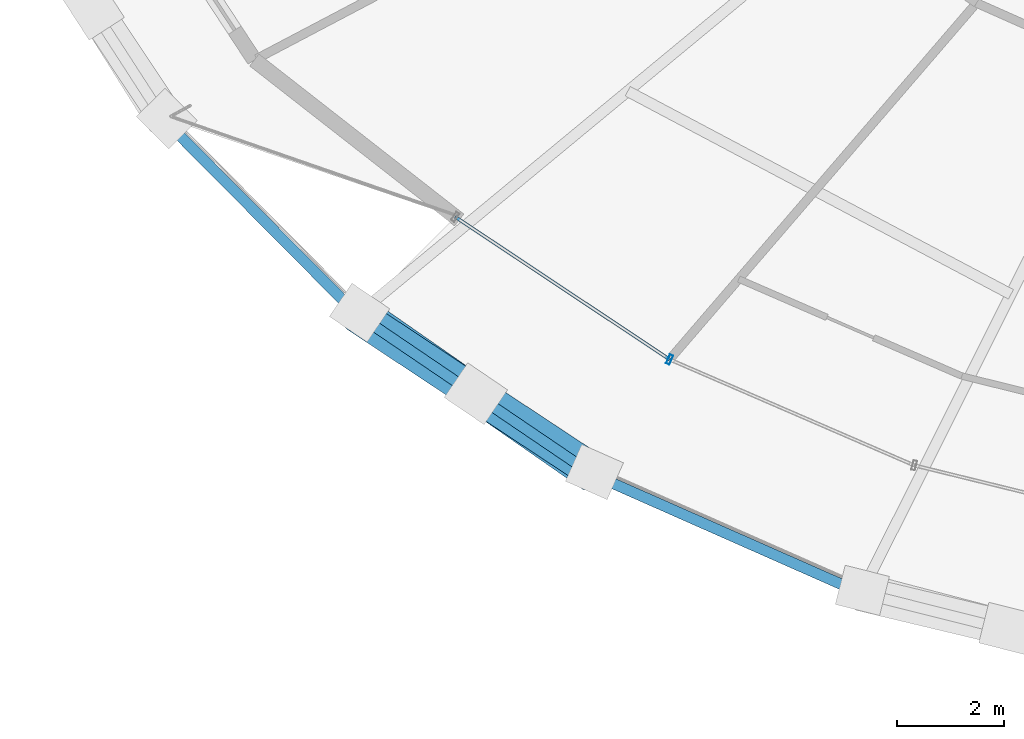
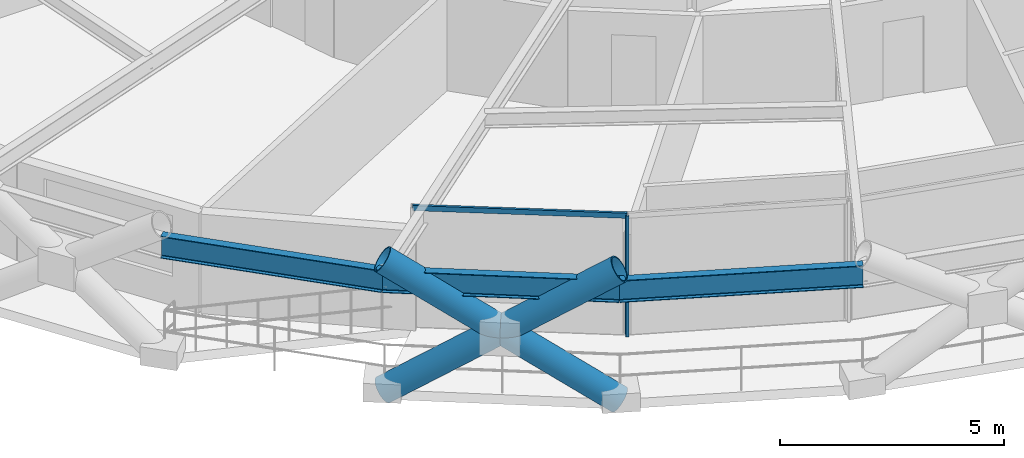
# One storey, part 1 of 21: 5 members, 3 beams, 1 element without a shape of its own.
"""IFC4 building model written with IfcOpenShell, lengths in metres."""

from ifc_helpers import new_model, si_unit, direction, frame, origin, origin_2d, place, context, subcontext, project, spatial, hollow_rectangle, hollow_circle, i_section, extrude, material, layer, layer_set, material_profile, profile_set, type_object, element, aggregate, save


model = new_model("IFC4")

# Units and contexts
model_context = context("Model", 3, precision=1e-05, world=origin(), true_north=direction((0.0, 1.0)))
body_context = subcontext(model_context, "Body", "Model", "MODEL_VIEW")
ifc_project = project(units=[si_unit("LENGTHUNIT", "METRE"), si_unit("AREAUNIT", "SQUARE_METRE"), si_unit("VOLUMEUNIT", "CUBIC_METRE"), si_unit("PLANEANGLEUNIT", "RADIAN"), si_unit("MASSUNIT", "GRAM", prefix="KILO")], contexts=[model_context])

# Site, building, storey
site_placement = place(None, origin())
site = spatial("IfcSite", under=ifc_project, at=site_placement, CompositionType="ELEMENT")
building_placement = place(site_placement, origin())
building = spatial("IfcBuilding", under=site, at=building_placement, Name="Veldorina Hangang Commons", CompositionType="ELEMENT")
storey_placement = place(building_placement, frame((0.0, 0.0, 66.39990234375)))
storey = spatial("IfcBuildingStorey", under=building, at=storey_placement, Name="L16", CompositionType="ELEMENT", Elevation=66.39990234375)

# Beams
ifc_material_1 = material(Name="Steel SM420-TMC", Category="steel")
ifc_material_profile_1 = material_profile(ifc_material_1, i_section(OverallWidth=0.199951171875, OverallDepth=0.60009765625, WebThickness=0.010986328125, FlangeThickness=0.01708984375, FilletRadius=0.01806640625, at=origin_2d()), Name="H-600x200x11x17")
ifc_profile_set_1 = profile_set([ifc_material_profile_1], Name="Steel SM420-TMC")
beam_type = type_object("IfcBeamType", Name="BM-RB600", PredefinedType="BEAM", material=ifc_profile_set_1)
beam_1_placement = place(storey_placement, frame((7.9658203125, 10.71875, 3.0400390625), z_axis=(0.704374726504, -0.709828320556, 0.0), x_axis=(0.709828320556, 0.704374726504, 0.0)))
element("IfcBeam", 1, at=beam_1_placement, inside=storey, type_object=beam_type, Name="L16 perimeter hoop ring beam 19", PredefinedType="BEAM", context=body_context, shape_type="SweptSolid", body=[
    extrude(i_section(OverallWidth=0.199951171875, OverallDepth=0.60009765625, WebThickness=0.010986328125, FlangeThickness=0.01708984375, FilletRadius=0.01806640625, at=origin_2d()), origin(), (0.0, 0.0, 1.0), 5.103515625),
])
beam_2_placement = place(storey_placement, frame((11.560546875, 7.09619140625, 3.0400390625), z_axis=(0.827409958016, -0.561598398658, 0.0), x_axis=(0.561598398658, 0.827409958016, 0.0)))
element("IfcBeam", 2, at=beam_2_placement, inside=storey, type_object=beam_type, Name="L16 perimeter hoop ring beam 20", PredefinedType="BEAM", context=body_context, shape_type="SweptSolid", body=[
    extrude(i_section(OverallWidth=0.199951171875, OverallDepth=0.60009765625, WebThickness=0.010986328125, FlangeThickness=0.01708984375, FilletRadius=0.01806640625, at=origin_2d()), origin(), (0.0, 0.0, 1.0), 5.294189453125),
])
beam_3_placement = place(storey_placement, frame((15.94091796875, 4.123046875, 3.0400390625), z_axis=(0.914611294749, -0.404334242327, 0.0), x_axis=(0.404334242327, 0.914611294749, 0.0)))
element("IfcBeam", 3, at=beam_3_placement, inside=storey, type_object=beam_type, Name="L16 perimeter hoop ring beam 21", PredefinedType="BEAM", context=body_context, shape_type="SweptSolid", body=[
    extrude(i_section(OverallWidth=0.199951171875, OverallDepth=0.60009765625, WebThickness=0.010986328125, FlangeThickness=0.01708984375, FilletRadius=0.01806640625, at=origin_2d()), origin(), (0.0, 0.0, 1.0), 5.4638671875),
])

# Curtain wall, members
ifc_material_2 = material(Name="Glass Low-E Triple IGU", Category="glass")
ifc_layer = layer(ifc_material_2, 0.179931640625)
ifc_layer_set = layer_set([ifc_layer], Name="Glass Low-E Triple IGU")
curtain_wall_type = type_object("IfcCurtainWallType", Name="CW-SYS-Z1", PredefinedType="NOTDEFINED", material=ifc_layer_set)
curtain_wall_placement = place(storey_placement, origin())
curtain_wall = element("IfcCurtainWall", 4, at=curtain_wall_placement, inside=storey, type_object=curtain_wall_type, Name="L16 unitised curtain wall CW-L16-R1", PredefinedType="NOTDEFINED")
ifc_material_3 = material(Name="Aluminium Anodized AA6063-T6", Category="aluminium")
ifc_material_profile_2 = material_profile(ifc_material_3, hollow_rectangle(XDim=0.070068359375, YDim=0.179931640625, WallThickness=0.00390625, at=origin_2d()), Name="ALU-RHS-180x70x4")
ifc_profile_set_2 = profile_set([ifc_material_profile_2], Name="Aluminium Anodized AA6063-T6")
member_type_1 = type_object("IfcMemberType", Name="CW-MUL-180", PredefinedType="MULLION", material=ifc_profile_set_2)
member_1_placement = place(storey_placement, frame((17.37109375, 6.263427734375, 0.0), z_axis=(0.0, 0.0, 1.0), x_axis=(0.917664492064, -0.39735611233, 0.0)))
member_1 = element("IfcMember", 5, at=member_1_placement, type_object=member_type_1, Name="CW-L16-R1 vertical mullion 2", PredefinedType="MULLION", context=body_context, shape_type="SweptSolid", body=[
    extrude(hollow_rectangle(XDim=0.070068359375, YDim=0.179931640625, WallThickness=0.00390625, at=origin_2d()), origin(), (0.0, 0.0, 1.0), 3.300048828125),
])
ifc_material_profile_3 = material_profile(ifc_material_3, hollow_rectangle(XDim=0.06005859375, YDim=0.139892578125, WallThickness=0.00341796875, at=origin_2d()), Name="ALU-RHS-140x60x3.5")
ifc_profile_set_3 = profile_set([ifc_material_profile_3], Name="Aluminium Anodized AA6063-T6")
member_type_2 = type_object("IfcMemberType", Name="CW-TRN-140", PredefinedType="USERDEFINED", material=ifc_profile_set_3)
member_2_placement = place(storey_placement, frame((13.380859375, 8.91650390625, 3.260009765625), z_axis=(0.832731615641, -0.553676851883, 0.0), x_axis=(0.553676851883, 0.832731615641, 0.0)))
member_2 = element("IfcMember", 6, at=member_2_placement, type_object=member_type_2, Name="CW-L16-R1 facet 1 transom 1", ObjectType="TRANSOM", PredefinedType="USERDEFINED", context=body_context, shape_type="SweptSolid", body=[
    extrude(hollow_rectangle(XDim=0.06005859375, YDim=0.139892578125, WallThickness=0.00341796875, at=origin_2d()), origin(), (0.0, 0.0, 1.0), 4.791748046875),
])
aggregate(curtain_wall, [member_1, member_2])

# Members
ifc_material_4 = material(Name="Steel SM460-TMC", Category="steel")
ifc_material_profile_4 = material_profile(ifc_material_4, hollow_circle(Radius=0.324951171875, WallThickness=0.031982421875, at=origin_2d()), Name="CHS-650x32")
ifc_profile_set_4 = profile_set([ifc_material_profile_4], Name="Steel SM460-TMC")
member_type_3 = type_object("IfcMemberType", Name="DG-CHS650", PredefinedType="BRACE", material=ifc_profile_set_4)
member_3_placement = place(storey_placement, frame((11.598876953125, 7.134521484375, 0.0), z_axis=(0.67819322684, -0.472276321517, 0.563035543463), x_axis=(0.571463752798, 0.820627308367, 0.0)))
element("IfcMember", 7, at=member_3_placement, inside=storey, type_object=member_type_3, Name="L16 continuous perimeter diagrid brace 20", PredefinedType="BRACE", context=body_context, shape_type="SweptSolid", body=[
    extrude(hollow_circle(Radius=0.324951171875, WallThickness=0.031982421875, at=origin_2d()), origin(), (0.0, 0.0, 1.0), 6.39404296875),
])
member_4_placement = place(storey_placement, frame((15.970947265625, 4.168212890625, 0.0), z_axis=(-0.689956928479, 0.45589984254, 0.562240847339), x_axis=(-0.551287099986, -0.834315607782, 0.0)))
element("IfcMember", 8, at=member_4_placement, inside=storey, type_object=member_type_3, Name="L16 split perimeter diagrid lower brace 21", PredefinedType="BRACE", context=body_context, shape_type="SweptSolid", body=[
    extrude(hollow_circle(Radius=0.324951171875, WallThickness=0.031982421875, at=origin_2d()), origin(), (0.0, 0.0, 1.0), 3.197998046875),
])
member_5_placement = place(storey_placement, frame((13.764404296875, 5.626220703125, 1.798095703125), z_axis=(-0.689723281607, 0.456362842689, 0.562151892838), x_axis=(-0.551806622958, -0.833972092375, 0.0)))
element("IfcMember", 9, at=member_5_placement, inside=storey, type_object=member_type_3, Name="L16 split perimeter diagrid upper brace 21", PredefinedType="BRACE", context=body_context, shape_type="SweptSolid", body=[
    extrude(hollow_circle(Radius=0.324951171875, WallThickness=0.031982421875, at=origin_2d()), origin(), (0.0, 0.0, 1.0), 3.20556640625),
])

save(model, "model.ifc")
